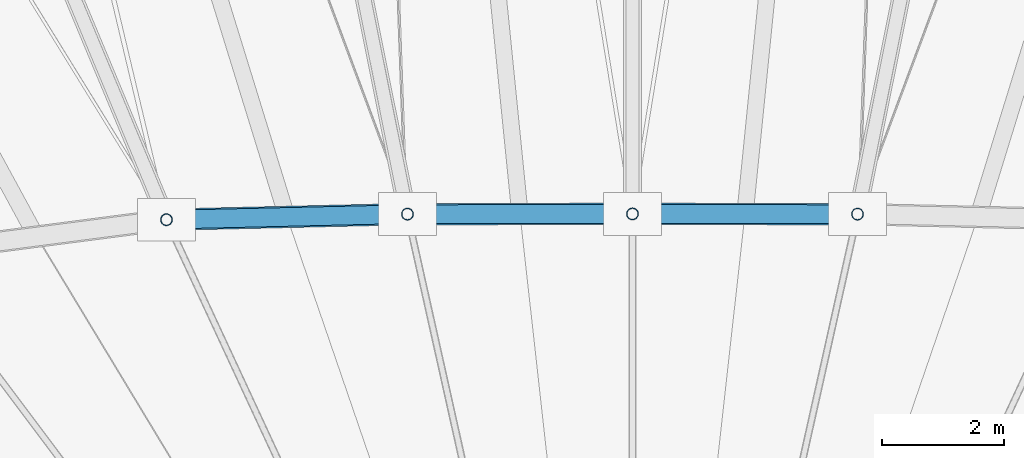
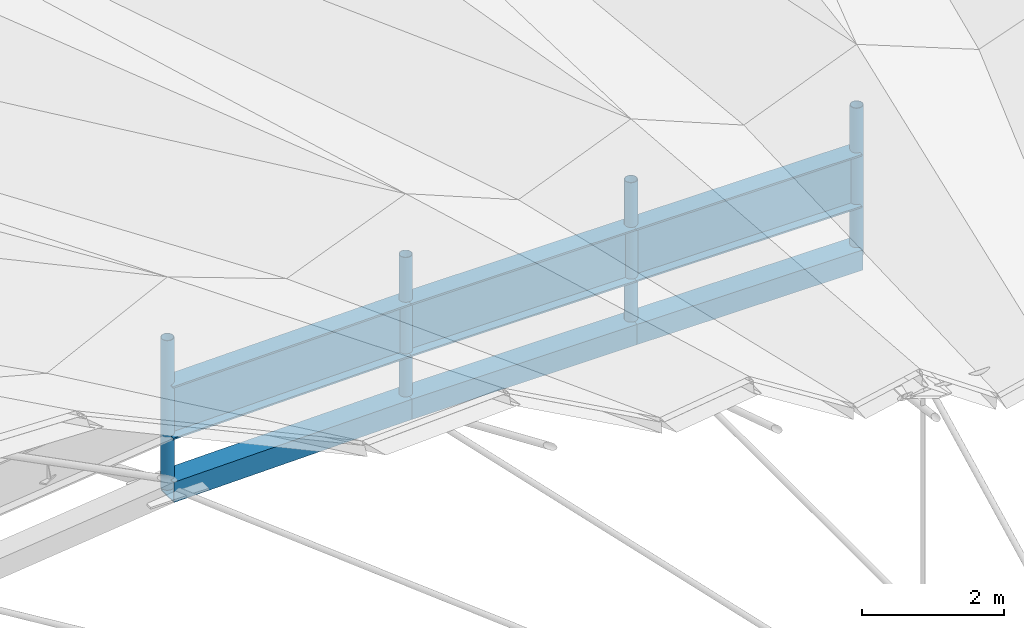
# One storey, part 25 of 41: 7 members, 3 beams.
"""IFC4 building model written with IfcOpenShell, lengths in metres."""

from ifc_helpers import new_model, si_unit, direction, frame, origin, origin_2d, place, context, subcontext, project, spatial, hollow_rectangle, hollow_circle, i_section, extrude, material, material_profile, profile_set, type_object, element, save


model = new_model("IFC4")

# Units and contexts
model_context = context("Model", 3, precision=1e-05, world=origin(), true_north=direction((0.0, 1.0)))
body_context = subcontext(model_context, "Body", "Model", "MODEL_VIEW")
ifc_project = project(units=[si_unit("LENGTHUNIT", "METRE"), si_unit("AREAUNIT", "SQUARE_METRE"), si_unit("VOLUMEUNIT", "CUBIC_METRE"), si_unit("PLANEANGLEUNIT", "RADIAN"), si_unit("MASSUNIT", "GRAM", prefix="KILO")], contexts=[model_context])

# Site, building, storey
site_placement = place(None, origin())
site = spatial("IfcSite", under=ifc_project, at=site_placement, CompositionType="ELEMENT")
building_placement = place(site_placement, origin())
building = spatial("IfcBuilding", under=site, at=building_placement, Name="Luwafu Chhajja Arena", CompositionType="ELEMENT")
storey_placement = place(building_placement, frame((0.0, 0.0, 29.699951171875)))
storey = spatial("IfcBuildingStorey", under=building, at=storey_placement, Name="RF", CompositionType="ELEMENT", Elevation=29.699951171875)

# Members
ifc_material = material(Name="Steel S355", Category="steel")
ifc_material_profile_1 = material_profile(ifc_material, hollow_circle(Radius=0.096923828125, WallThickness=0.008056640625, at=origin_2d()), Name="CHS 193.7x8")
ifc_profile_set_1 = profile_set([ifc_material_profile_1], Name="Steel S355")
member_type_1 = type_object("IfcMemberType", Name="Folded Pleat Tie Strut CHS 194", PredefinedType="BRACE", material=ifc_profile_set_1)
for number, where, z_axis, x_axis, name in (
    (1, (102.678955078125, 65.99560546875, 4.10009765625), (0.0, 0.0, 1.0), (1.0, 0.0, 0.0), "Roof Inner Ring Truss Web IRW-08"),
    (2, (99.0, 66.0, 4.10009765625), (0.0, 0.0, 1.0), (1.0, 0.0, 0.0), "Roof Inner Ring Truss Web IRW-09"),
    (3, (95.321044921875, 65.99560546875, 4.10009765625), (0.0, 0.0, 1.0), (1.0, 0.0, 0.0), "Roof Inner Ring Truss Web IRW-10"),
    (4, (91.38134765625, 65.904541015625, 4.10009765625), (0.0, 0.0, 1.0), (1.0, 0.0, 0.0), "Roof Inner Ring Truss Web IRW-11"),
):
    element("IfcMember", number, at=place(storey_placement, frame(where, z_axis=z_axis, x_axis=x_axis)), inside=storey, type_object=member_type_1, Name=name, PredefinedType="BRACE", context=body_context, shape_type="SweptSolid", body=[
        extrude(hollow_circle(Radius=0.096923828125, WallThickness=0.008056640625, at=origin_2d()), origin(), (0.0, 0.0, 1.0), 2.579833984375),
    ])

# Beams
ifc_material_profile_2 = material_profile(ifc_material, i_section(OverallWidth=0.305419921875, OverallDepth=0.91845703125, WebThickness=0.017333984375, FlangeThickness=0.02783203125, at=origin_2d()), Name="UB 914x305x253")
ifc_profile_set_2 = profile_set([ifc_material_profile_2], Name="Steel S355")
beam_type = type_object("IfcBeamType", Name="Inner Tension Ring Girder UB 914x305x253", PredefinedType="BEAM", material=ifc_profile_set_2)
for number, where, z_axis, x_axis, name in (
    (5, (102.678955078125, 65.99560546875, 5.449951171875), (-0.999999286579, 0.001194504424, 0.0), (-0.001194504424, -0.999999286579, 0.0), "Roof Inner Tension Ring Beam IR-08"),
    (6, (99.0, 66.0, 5.449951171875), (-0.999999286579, -0.001194504424, 0.0), (0.001194504424, -0.999999286579, 0.0), "Roof Inner Tension Ring Beam IR-09"),
):
    element("IfcBeam", number, at=place(storey_placement, frame(where, z_axis=z_axis, x_axis=x_axis)), inside=storey, type_object=beam_type, Name=name, PredefinedType="BEAM", context=body_context, shape_type="SweptSolid", body=[
        extrude(i_section(OverallWidth=0.305419921875, OverallDepth=0.91845703125, WebThickness=0.017333984375, FlangeThickness=0.02783203125, at=origin_2d()), origin(), (0.0, 0.0, 1.0), 3.678955078125),
    ])
beam_placement = place(storey_placement, frame((95.321044921875, 65.99560546875, 5.449951171875), z_axis=(-0.999732965063, -0.023108408996, 0.0), x_axis=(0.023108408996, -0.999732965063, 0.0)))
element("IfcBeam", 7, at=beam_placement, inside=storey, type_object=beam_type, Name="Roof Inner Tension Ring Beam IR-10", PredefinedType="BEAM", context=body_context, shape_type="SweptSolid", body=[
    extrude(i_section(OverallWidth=0.305419921875, OverallDepth=0.91845703125, WebThickness=0.017333984375, FlangeThickness=0.02783203125, at=origin_2d()), origin(), (0.0, 0.0, 1.0), 3.940673828125),
])

# Members
ifc_material_profile_3 = material_profile(ifc_material, hollow_rectangle(XDim=0.35009765625, YDim=0.35009765625, WallThickness=0.01611328125, at=origin_2d()), Name="SHS 350x350x16")
ifc_profile_set_3 = profile_set([ifc_material_profile_3], Name="Steel S355")
member_type_2 = type_object("IfcMemberType", Name="Ring Stabilizing Truss Chord SHS 350", PredefinedType="CHORD", material=ifc_profile_set_3)
for number, where, z_axis, x_axis, name in (
    (8, (102.678955078125, 65.99560546875, 4.10009765625), (-0.999999286579, 0.001194504424, 0.0), (-0.001194504424, -0.999999286579, 0.0), "Roof Inner Stabilizing Ring Chord IRC-08"),
    (9, (99.0, 66.0, 4.10009765625), (-0.999999286579, -0.001194504424, 0.0), (0.001194504424, -0.999999286579, 0.0), "Roof Inner Stabilizing Ring Chord IRC-09"),
):
    element("IfcMember", number, at=place(storey_placement, frame(where, z_axis=z_axis, x_axis=x_axis)), inside=storey, type_object=member_type_2, Name=name, PredefinedType="CHORD", context=body_context, shape_type="SweptSolid", body=[
        extrude(hollow_rectangle(XDim=0.35009765625, YDim=0.35009765625, WallThickness=0.01611328125, at=origin_2d()), origin(), (0.0, 0.0, 1.0), 3.678955078125),
    ])
member_placement = place(storey_placement, frame((95.321044921875, 65.99560546875, 4.10009765625), z_axis=(-0.999732965063, -0.023108408996, 0.0), x_axis=(0.023108408996, -0.999732965063, 0.0)))
element("IfcMember", 10, at=member_placement, inside=storey, type_object=member_type_2, Name="Roof Inner Stabilizing Ring Chord IRC-10", PredefinedType="CHORD", context=body_context, shape_type="SweptSolid", body=[
    extrude(hollow_rectangle(XDim=0.35009765625, YDim=0.35009765625, WallThickness=0.01611328125, at=origin_2d()), origin(), (0.0, 0.0, 1.0), 3.940673828125),
])

save(model, "model.ifc")
